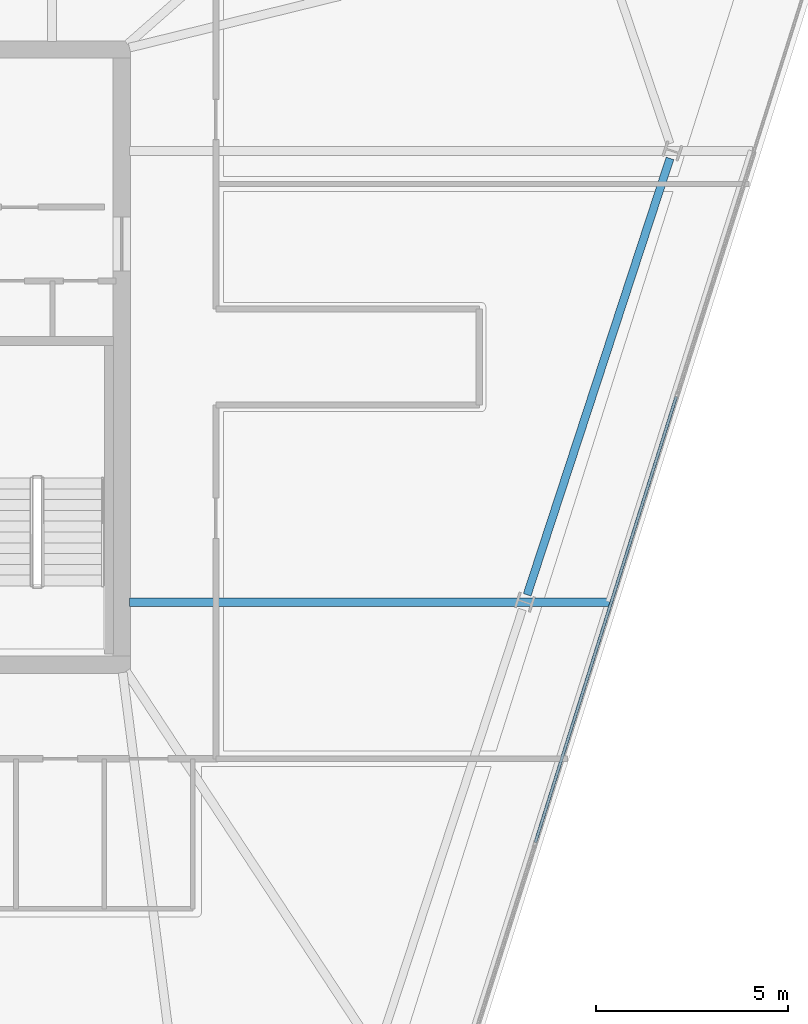
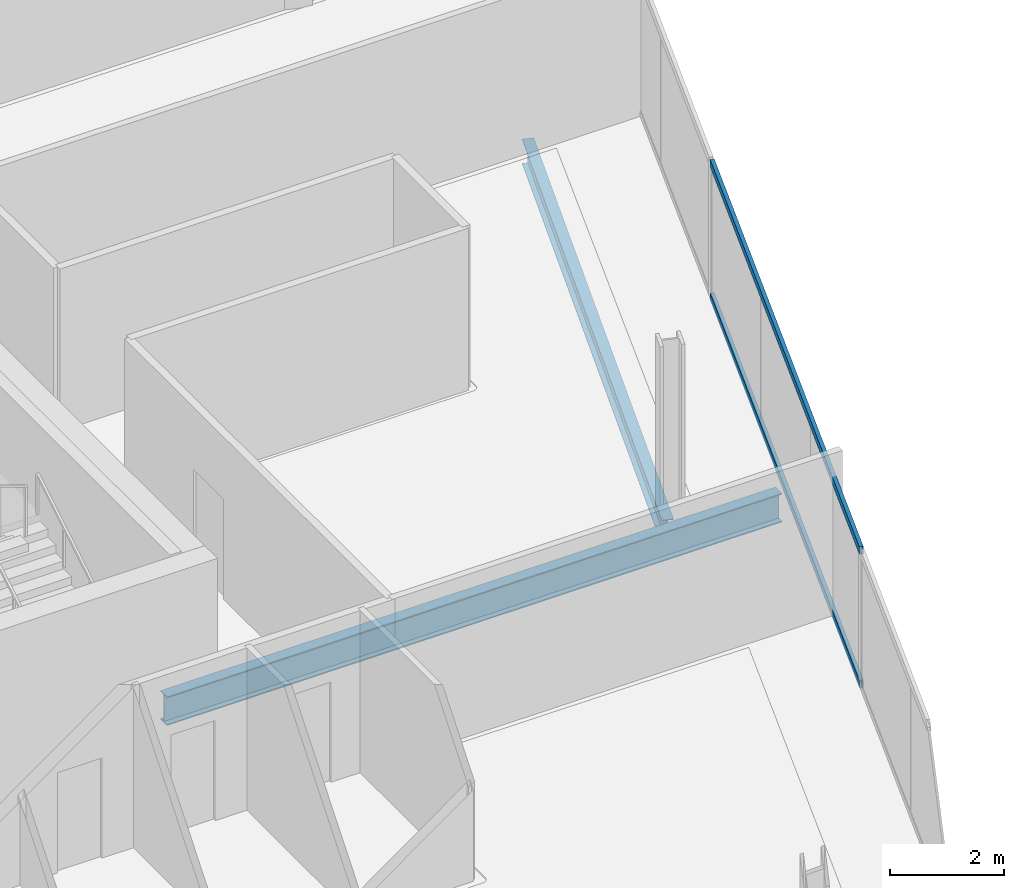
# One storey, part 9 of 26: 2 beams, 2 members, 1 element without a shape of its own.
"""IFC4 building model written with IfcOpenShell, lengths in metres."""

from ifc_helpers import new_model, si_unit, direction, frame, origin, origin_2d, place, context, subcontext, project, spatial, hollow_rectangle, i_section, extrude, material, material_profile, profile_set, type_object, element, aggregate, save


model = new_model("IFC4")

# Units and contexts
model_context = context("Model", 3, precision=1e-05, world=origin(), true_north=direction((0.0, 1.0)))
body_context = subcontext(model_context, "Body", "Model", "MODEL_VIEW")
ifc_project = project(units=[si_unit("LENGTHUNIT", "METRE"), si_unit("AREAUNIT", "SQUARE_METRE"), si_unit("VOLUMEUNIT", "CUBIC_METRE"), si_unit("PLANEANGLEUNIT", "RADIAN"), si_unit("MASSUNIT", "GRAM", prefix="KILO")], contexts=[model_context])

# Site, building, storey
site_placement = place(None, origin())
site = spatial("IfcSite", under=ifc_project, at=site_placement, CompositionType="ELEMENT")
building_placement = place(site_placement, origin())
building = spatial("IfcBuilding", under=site, at=building_placement, Name="Haldenkirk Collegiate Tower", CompositionType="ELEMENT")
storey_placement = place(building_placement, frame((0.0, 0.0, 271.199951171875)))
storey = spatial("IfcBuildingStorey", under=building, at=storey_placement, Name="L68", CompositionType="ELEMENT", Elevation=271.199951171875)

# Beams
ifc_material_1 = material(Name="Steel ASTM A992 Grade 50", Category="steel")
ifc_material_profile_1 = material_profile(ifc_material_1, i_section(OverallWidth=0.22998046875, OverallDepth=0.616943359375, WebThickness=0.01318359375, FlangeThickness=0.022216796875, at=origin_2d()), Name="W24X94")
ifc_profile_set_1 = profile_set([ifc_material_profile_1], Name="Steel ASTM A992 Grade 50")
beam_type_1 = type_object("IfcBeamType", Name="BM-GIRDER-W24X94", PredefinedType="BEAM", material=ifc_profile_set_1)
beam_1_placement = place(storey_placement, frame((57.692138671875, 19.624267578125, -0.578369140625), z_axis=(-1.0, 0.0, 0.0), x_axis=(0.0, -1.0, 0.0)))
element("IfcBeam", 1, at=beam_1_placement, inside=storey, type_object=beam_type_1, Name="L68 primary floor girder 06", PredefinedType="BEAM", context=body_context, shape_type="SweptSolid", body=[
    extrude(i_section(OverallWidth=0.22998046875, OverallDepth=0.616943359375, WebThickness=0.01318359375, FlangeThickness=0.022216796875, at=origin_2d()), origin(), (0.0, 0.0, 1.0), 12.487060546875),
])
ifc_material_profile_2 = material_profile(ifc_material_1, i_section(OverallWidth=0.2099609375, OverallDepth=0.537109375, WebThickness=0.010986328125, FlangeThickness=0.017333984375, at=origin_2d()), Name="W21X68")
ifc_profile_set_2 = profile_set([ifc_material_profile_2], Name="Steel ASTM A992 Grade 50")
beam_type_2 = type_object("IfcBeamType", Name="BM-SPANDREL-W21X68", PredefinedType="SPANDREL", material=ifc_profile_set_2)
beam_2_placement = place(storey_placement, frame((55.54638671875, 19.81689453125, -0.538330078125), z_axis=(0.311010188249, 0.950406577631, 0.0), x_axis=(-0.950406577631, 0.311010188249, 0.0)))
element("IfcBeam", 2, at=beam_2_placement, inside=storey, type_object=beam_type_2, Name="L68 perimeter spandrel beam 03", PredefinedType="SPANDREL", context=body_context, shape_type="SweptSolid", body=[
    extrude(i_section(OverallWidth=0.2099609375, OverallDepth=0.537109375, WebThickness=0.010986328125, FlangeThickness=0.017333984375, at=origin_2d()), origin(), (0.0, 0.0, 1.0), 11.94287109375),
])

# Curtain wall, members
ifc_material_2 = material(Name="Anodised architectural bronze aluminium", Category="aluminium")
curtain_wall_type = type_object("IfcCurtainWallType", Name="CW-SYS2-CONCAVE", PredefinedType="USERDEFINED", material=ifc_material_2)
curtain_wall_placement = place(storey_placement, origin())
curtain_wall = element("IfcCurtainWall", 3, at=curtain_wall_placement, inside=storey, type_object=curtain_wall_type, Name="L68 South concave recessed bronze-anodised curtain wall", ObjectType="UNITISED CURTAIN WALL", PredefinedType="USERDEFINED")
ifc_material_profile_3 = material_profile(ifc_material_2, hollow_rectangle(XDim=0.074951171875, YDim=0.159912109375, WallThickness=0.0048828125, at=origin_2d()), Name="CW-TRN-02")
ifc_profile_set_3 = profile_set([ifc_material_profile_3], Name="Anodised architectural bronze aluminium")
member_type = type_object("IfcMemberType", Name="CW-TRN-02", PredefinedType="USERDEFINED", material=ifc_profile_set_3)
member_1_placement = place(storey_placement, frame((59.424072265625, 24.968017578125, 0.03759765625), z_axis=(-0.301539766369, -0.95345360102, 0.0), x_axis=(0.95345360102, -0.301539766369, 0.0)))
member_1 = element("IfcMember", 4, at=member_1_placement, type_object=member_type, Name="CW-02 transom 2.1", ObjectType="TRANSOM", PredefinedType="USERDEFINED", context=body_context, shape_type="SweptSolid", body=[
    extrude(hollow_rectangle(XDim=0.074951171875, YDim=0.159912109375, WallThickness=0.0048828125, at=origin_2d()), origin(), (0.0, 0.0, 1.0), 12.158447265625),
])
member_2_placement = place(storey_placement, frame((59.424072265625, 24.968017578125, 2.900634765625), z_axis=(-0.301539766369, -0.95345360102, 0.0), x_axis=(0.95345360102, -0.301539766369, 0.0)))
member_2 = element("IfcMember", 5, at=member_2_placement, type_object=member_type, Name="CW-02 transom 2.2", ObjectType="TRANSOM", PredefinedType="USERDEFINED", context=body_context, shape_type="SweptSolid", body=[
    extrude(hollow_rectangle(XDim=0.074951171875, YDim=0.159912109375, WallThickness=0.0048828125, at=origin_2d()), origin(), (0.0, 0.0, 1.0), 12.158447265625),
])
aggregate(curtain_wall, [member_1, member_2])

save(model, "model.ifc")
